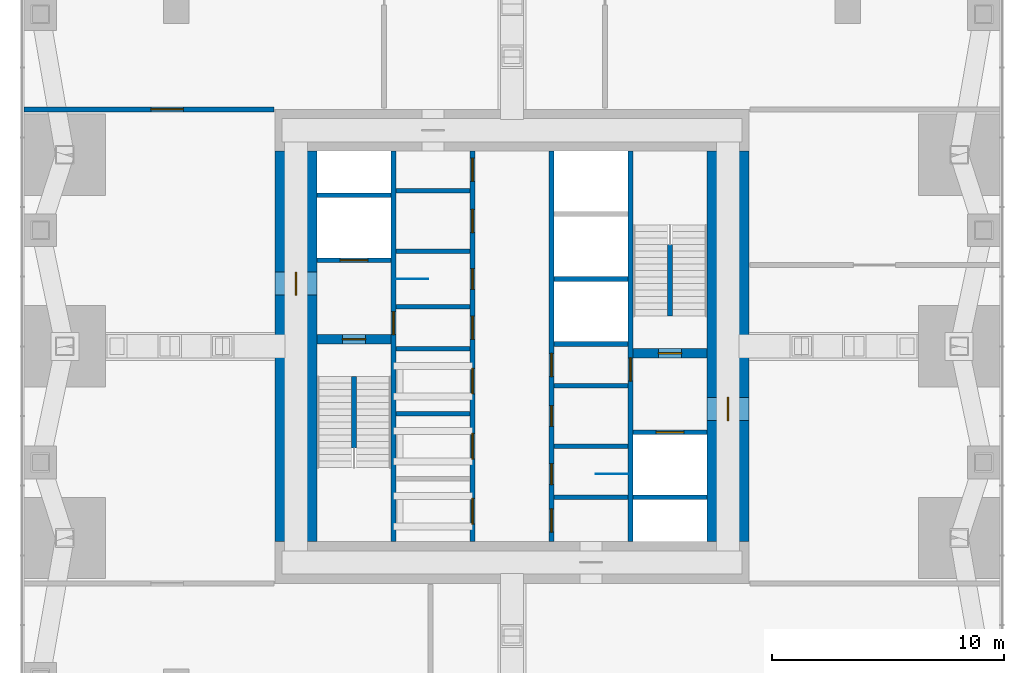
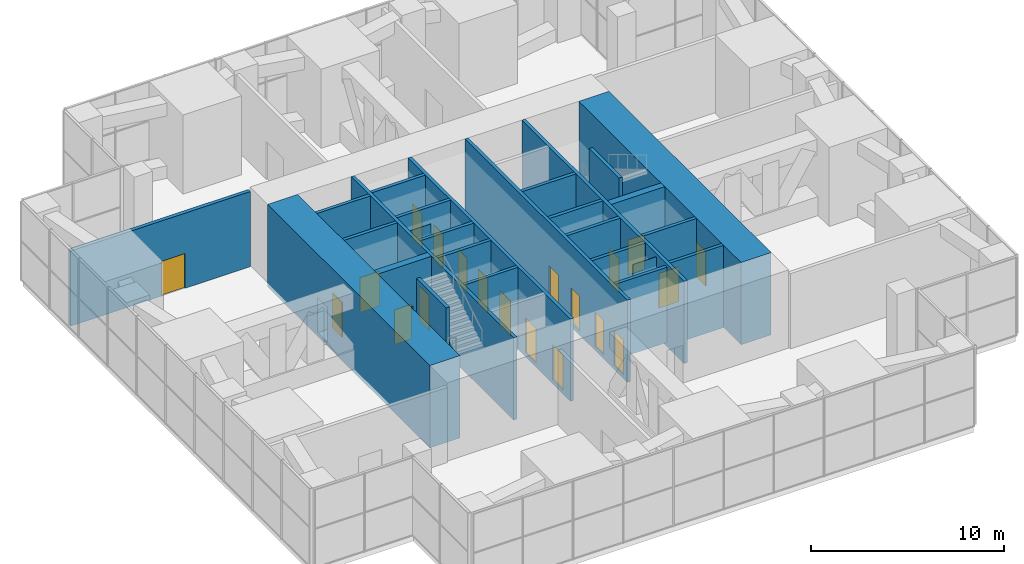
# One storey, part 11 of 13: 27 walls, 20 doors, 20 openings.
"""IFC4 building model written with IfcOpenShell, lengths in metres."""

from ifc_helpers import new_model, si_unit, direction, frame, frame_2d, origin, place, context, subcontext, project, spatial, rectangle, extrude, material, layer, layer_set, type_object, element, fill, save


model = new_model("IFC4")

# Units and contexts
model_context = context("Model", 3, precision=1e-05, world=origin(), true_north=direction((0.0, 1.0)))
body_context = subcontext(model_context, "Body", "Model", "MODEL_VIEW")
ifc_project = project(units=[si_unit("LENGTHUNIT", "METRE"), si_unit("AREAUNIT", "SQUARE_METRE"), si_unit("VOLUMEUNIT", "CUBIC_METRE"), si_unit("PLANEANGLEUNIT", "RADIAN"), si_unit("MASSUNIT", "GRAM", prefix="KILO")], contexts=[model_context])

# Site, building, storey
site_placement = place(None, origin())
site = spatial("IfcSite", under=ifc_project, at=site_placement, CompositionType="ELEMENT")
building_placement = place(site_placement, origin())
building = spatial("IfcBuilding", under=site, at=building_placement, Name="Svetlomir Tower", CompositionType="ELEMENT")
storey_placement = place(building_placement, frame((0.0, 0.0, 86.5)))
storey = spatial("IfcBuildingStorey", under=building, at=storey_placement, Name="L20", CompositionType="ELEMENT", Elevation=86.5)

# Wall
ifc_material_1 = material(Name="Gypsum board on twin steel studs", Category="steel")
ifc_layer_1 = layer(ifc_material_1, 0.199951171875)
ifc_layer_set_1 = layer_set([ifc_layer_1], Name="Gypsum board on twin steel studs")
wall_type_1 = type_object("IfcWallType", Name="ACOUSTIC PARTITION 200", PredefinedType="PARTITIONING", material=ifc_layer_set_1)
wall_1_placement = place(storey_placement, frame((22.800048828125, 14.5, 0.0), z_axis=(0.0, 0.0, 1.0), x_axis=(1.0, 0.0, 0.0)))
element("IfcWall", 1, at=wall_1_placement, inside=storey, type_object=wall_type_1, Name="Core south corridor wall L20", PredefinedType="PARTITIONING", context=body_context, shape_type="SweptSolid", body=[
    extrude(rectangle(XDim=3.199951171875, YDim=0.199951171875, at=frame_2d((1.60009765625, 0.0))), origin(), (0.0, 0.0, 1.0), 4.75),
])

# Wall, opening, door
ifc_material_2 = material(Name="Dense concrete blockwork", Category="masonry")
ifc_layer_2 = layer(ifc_material_2, 0.215087890625)
ifc_layer_set_2 = layer_set([ifc_layer_2], Name="Dense concrete blockwork")
wall_type_2 = type_object("IfcWallType", Name="BLOCKWORK WALL 215", PredefinedType="PARTITIONING", material=ifc_layer_set_2)
wall_2_placement = place(storey_placement, frame((0.0, 31.199951171875, 0.0), z_axis=(0.0, 0.0, 1.0), x_axis=(1.0, 0.0, 0.0)))
wall_2 = element("IfcWall", 2, at=wall_2_placement, inside=storey, type_object=wall_type_2, Name="Refuge area wall L20", PredefinedType="PARTITIONING", context=body_context, shape_type="SweptSolid", body=[
    extrude(rectangle(XDim=10.75, YDim=0.215087890625, at=frame_2d((5.375, 0.0))), origin(), (0.0, 0.0, 1.0), 4.75),
])
opening_1_placement = place(wall_2_placement, frame((5.449951171875, 0.0, 0.0)))
opening_1 = element("IfcOpeningElement", 3, at=opening_1_placement, cuts=wall_2, Name="Opening DF2", PredefinedType="OPENING", context=body_context, shape_type="SweptSolid", body=[
    extrude(rectangle(XDim=1.39990234375, YDim=2.199951171875, at=frame_2d((0.699951171875, 1.10009765625))), frame((0.0, 0.11767578125, 0.0), z_axis=(0.0, -1.0, 0.0), x_axis=(1.0, 0.0, 0.0)), (0.0, 0.0, 1.0), 0.235107421875),
])
ifc_material_3 = material(Name="Steel fire door", Category="steel")
door_type_1 = type_object("IfcDoorType", Name="DOOR DF2 1400x2200", OperationType="SINGLE_SWING_LEFT", PredefinedType="DOOR", material=ifc_material_3)
door_1_placement = place(opening_1_placement, origin())
door_1 = element("IfcDoor", 4, at=door_1_placement, inside=storey, type_object=door_type_1, Name="Refuge area fire door 2 L20", OperationType="SINGLE_SWING_LEFT", OverallHeight=2.199951171875, OverallWidth=1.39990234375, PredefinedType="DOOR", context=body_context, shape_type="SweptSolid", body=[
    extrude(rectangle(XDim=1.39990234375, YDim=2.199951171875, at=frame_2d((0.699951171875, 1.10009765625))), frame((0.0, 0.02490234375, 0.0), z_axis=(0.0, -1.0, 0.0), x_axis=(1.0, 0.0, 0.0)), (0.0, 0.0, 1.0), 0.050048828125),
])
fill(opening_1, door_1)

ifc_material_4 = material(Name="Concrete C60/75", Category="concrete")
ifc_layer_3 = layer(ifc_material_4, 0.199951171875)
ifc_layer_set_3 = layer_set([ifc_layer_3], Name="Concrete C60/75")
wall_type_3 = type_object("IfcWallType", Name="CORE INNER WALL 200", PredefinedType="SHEAR", material=ifc_layer_set_3)
wall_3_placement = place(storey_placement, frame((15.89990234375, 12.60009765625, -0.25), z_axis=(0.0, 0.0, 1.0), x_axis=(0.0, 1.0, 0.0)))
wall_3 = element("IfcWall", 5, at=wall_3_placement, inside=storey, type_object=wall_type_3, Name="Core inner wall 15.9 L20", PredefinedType="SHEAR", context=body_context, shape_type="SweptSolid", body=[
    extrude(rectangle(XDim=16.7998046875, YDim=0.199951171875, at=frame_2d((8.39990234375, 0.0))), origin(), (0.0, 0.0, 1.0), 5.199951171875),
])
opening_2_placement = place(wall_3_placement, frame((8.89990234375, 0.0, 0.25)))
opening_2 = element("IfcOpeningElement", 6, at=opening_2_placement, cuts=wall_3, Name="Opening DF", PredefinedType="OPENING", context=body_context, shape_type="SweptSolid", body=[
    extrude(rectangle(XDim=1.0, YDim=2.199951171875, at=frame_2d((0.5, 1.10009765625))), frame((0.0, 0.10986328125, 0.0), z_axis=(0.0, -1.0, 0.0), x_axis=(1.0, 0.0, 0.0)), (0.0, 0.0, 1.0), 0.219970703125),
])
ifc_material_5 = material(Name="Steel fire door", Category="steel")
door_type_2 = type_object("IfcDoorType", Name="DOOR DF 1000x2200", OperationType="SINGLE_SWING_LEFT", PredefinedType="DOOR", material=ifc_material_5)
door_2_placement = place(opening_2_placement, origin())
door_2 = element("IfcDoor", 7, at=door_2_placement, inside=storey, type_object=door_type_2, Name="Core corridor west door L20", OperationType="SINGLE_SWING_LEFT", OverallHeight=2.199951171875, OverallWidth=1.0, PredefinedType="DOOR", context=body_context, shape_type="SweptSolid", body=[
    extrude(rectangle(XDim=1.0, YDim=2.199951171875, at=frame_2d((0.5, 1.10009765625))), frame((0.0, 0.02490234375, 0.0), z_axis=(0.0, -1.0, 0.0), x_axis=(1.0, 0.0, 0.0)), (0.0, 0.0, 1.0), 0.050048828125),
])
fill(opening_2, door_2)

# Wall, openings, doors
wall_4_placement = place(storey_placement, frame((19.300048828125, 12.60009765625, -0.25), z_axis=(0.0, 0.0, 1.0), x_axis=(0.0, 1.0, 0.0)))
wall_4 = element("IfcWall", 8, at=wall_4_placement, inside=storey, type_object=wall_type_3, Name="Core inner wall 19.3 L20", PredefinedType="SHEAR", context=body_context, shape_type="SweptSolid", body=[
    extrude(rectangle(XDim=16.7998046875, YDim=0.199951171875, at=frame_2d((8.39990234375, 0.0))), origin(), (0.0, 0.0, 1.0), 5.199951171875),
])
opening_3_placement = place(wall_4_placement, frame((8.699951171875, 0.0, 0.25)))
opening_3 = element("IfcOpeningElement", 9, at=opening_3_placement, cuts=wall_4, Name="Opening DC", PredefinedType="OPENING", context=body_context, shape_type="SweptSolid", body=[
    extrude(rectangle(XDim=1.0, YDim=2.199951171875, at=frame_2d((0.5, 1.10009765625))), frame((0.0, 0.10986328125, 0.0), z_axis=(0.0, -1.0, 0.0), x_axis=(1.0, 0.0, 0.0)), (0.0, 0.0, 1.0), 0.219970703125),
])
opening_4_placement = place(wall_4_placement, frame((10.85009765625, 0.0, 0.25)))
opening_4 = element("IfcOpeningElement", 10, at=opening_4_placement, cuts=wall_4, Name="Opening DW", PredefinedType="OPENING", context=body_context, shape_type="SweptSolid", body=[
    extrude(rectangle(XDim=0.89990234375, YDim=2.199951171875, at=frame_2d((0.449951171875, 1.10009765625))), frame((0.0, 0.10986328125, 0.0), z_axis=(0.0, -1.0, 0.0), x_axis=(1.0, 0.0, 0.0)), (0.0, 0.0, 1.0), 0.219970703125),
])
opening_5_placement = place(wall_4_placement, frame((13.300048828125, 0.0, 0.25)))
opening_5 = element("IfcOpeningElement", 11, at=opening_5_placement, cuts=wall_4, Name="Opening DC", PredefinedType="OPENING", context=body_context, shape_type="SweptSolid", body=[
    extrude(rectangle(XDim=1.0, YDim=2.199951171875, at=frame_2d((0.5, 1.10009765625))), frame((0.0, 0.10986328125, 0.0), z_axis=(0.0, -1.0, 0.0), x_axis=(1.0, 0.0, 0.0)), (0.0, 0.0, 1.0), 0.219970703125),
])
opening_6_placement = place(wall_4_placement, frame((15.5, 0.0, 0.25)))
opening_6 = element("IfcOpeningElement", 12, at=opening_6_placement, cuts=wall_4, Name="Opening DC", PredefinedType="OPENING", context=body_context, shape_type="SweptSolid", body=[
    extrude(rectangle(XDim=1.0, YDim=2.199951171875, at=frame_2d((0.5, 1.10009765625))), frame((0.0, 0.10986328125, 0.0), z_axis=(0.0, -1.0, 0.0), x_axis=(1.0, 0.0, 0.0)), (0.0, 0.0, 1.0), 0.219970703125),
])
opening_7_placement = place(wall_4_placement, frame((0.75, 0.0, 0.25)))
opening_7 = element("IfcOpeningElement", 13, at=opening_7_placement, cuts=wall_4, Name="Opening LD", PredefinedType="OPENING", context=body_context, shape_type="SweptSolid", body=[
    extrude(rectangle(XDim=1.10009765625, YDim=2.199951171875, at=frame_2d((0.550048828125, 1.10009765625))), frame((0.0, 0.10986328125, 0.0), z_axis=(0.0, -1.0, 0.0), x_axis=(1.0, 0.0, 0.0)), (0.0, 0.0, 1.0), 0.219970703125),
])
opening_8_placement = place(wall_4_placement, frame((3.550048828125, 0.0, 0.25)))
opening_8 = element("IfcOpeningElement", 14, at=opening_8_placement, cuts=wall_4, Name="Opening LD", PredefinedType="OPENING", context=body_context, shape_type="SweptSolid", body=[
    extrude(rectangle(XDim=1.10009765625, YDim=2.199951171875, at=frame_2d((0.550048828125, 1.10009765625))), frame((0.0, 0.10986328125, 0.0), z_axis=(0.0, -1.0, 0.0), x_axis=(1.0, 0.0, 0.0)), (0.0, 0.0, 1.0), 0.219970703125),
])
opening_9_placement = place(wall_4_placement, frame((6.35009765625, 0.0, 0.25)))
opening_9 = element("IfcOpeningElement", 15, at=opening_9_placement, cuts=wall_4, Name="Opening LD", PredefinedType="OPENING", context=body_context, shape_type="SweptSolid", body=[
    extrude(rectangle(XDim=1.10009765625, YDim=2.199951171875, at=frame_2d((0.550048828125, 1.10009765625))), frame((0.0, 0.10986328125, 0.0), z_axis=(0.0, -1.0, 0.0), x_axis=(1.0, 0.0, 0.0)), (0.0, 0.0, 1.0), 0.219970703125),
])
ifc_material_6 = material(Name="Timber fire door", Category="wood")
door_type_3 = type_object("IfcDoorType", Name="DOOR DC 1000x2200", OperationType="SINGLE_SWING_LEFT", PredefinedType="DOOR", material=ifc_material_6)
door_3_placement = place(opening_3_placement, origin())
door_3 = element("IfcDoor", 16, at=door_3_placement, inside=storey, type_object=door_type_3, Name="Core corridor west lobby door L20", OperationType="SINGLE_SWING_RIGHT", OverallHeight=2.199951171875, OverallWidth=1.0, PredefinedType="DOOR", context=body_context, shape_type="SweptSolid", body=[
    extrude(rectangle(XDim=1.0, YDim=2.199951171875, at=frame_2d((0.5, 1.10009765625))), frame((0.0, 0.02490234375, 0.0), z_axis=(0.0, -1.0, 0.0), x_axis=(1.0, 0.0, 0.0)), (0.0, 0.0, 1.0), 0.050048828125),
])
fill(opening_3, door_3)
door_4_placement = place(opening_5_placement, origin())
door_4 = element("IfcDoor", 17, at=door_4_placement, inside=storey, type_object=door_type_3, Name="Accessible WC door L20", OperationType="SINGLE_SWING_LEFT", OverallHeight=2.199951171875, OverallWidth=1.0, PredefinedType="DOOR", context=body_context, shape_type="SweptSolid", body=[
    extrude(rectangle(XDim=1.0, YDim=2.199951171875, at=frame_2d((0.5, 1.10009765625))), frame((0.0, 0.02490234375, 0.0), z_axis=(0.0, -1.0, 0.0), x_axis=(1.0, 0.0, 0.0)), (0.0, 0.0, 1.0), 0.050048828125),
])
fill(opening_5, door_4)
door_5_placement = place(opening_6_placement, origin())
door_5 = element("IfcDoor", 18, at=door_5_placement, inside=storey, type_object=door_type_3, Name="Core north corridor lobby door L20", OperationType="SINGLE_SWING_RIGHT", OverallHeight=2.199951171875, OverallWidth=1.0, PredefinedType="DOOR", context=body_context, shape_type="SweptSolid", body=[
    extrude(rectangle(XDim=1.0, YDim=2.199951171875, at=frame_2d((0.5, 1.10009765625))), frame((0.0, 0.02490234375, 0.0), z_axis=(0.0, -1.0, 0.0), x_axis=(1.0, 0.0, 0.0)), (0.0, 0.0, 1.0), 0.050048828125),
])
fill(opening_6, door_5)
ifc_material_7 = material(Name="Timber fire door", Category="wood")
door_type_4 = type_object("IfcDoorType", Name="DOOR DW 900x2200", OperationType="SINGLE_SWING_LEFT", PredefinedType="DOOR", material=ifc_material_7)
door_6_placement = place(opening_4_placement, origin())
door_6 = element("IfcDoor", 19, at=door_6_placement, inside=storey, type_object=door_type_4, Name="Female WC door L20", OperationType="SINGLE_SWING_RIGHT", OverallHeight=2.199951171875, OverallWidth=0.89990234375, PredefinedType="DOOR", context=body_context, shape_type="SweptSolid", body=[
    extrude(rectangle(XDim=0.89990234375, YDim=2.199951171875, at=frame_2d((0.449951171875, 1.10009765625))), frame((0.0, 0.02490234375, 0.0), z_axis=(0.0, -1.0, 0.0), x_axis=(1.0, 0.0, 0.0)), (0.0, 0.0, 1.0), 0.050048828125),
])
fill(opening_4, door_6)
ifc_material_8 = material(Name="Stainless steel landing door", Category="steel")
door_type_5 = type_object("IfcDoorType", Name="LIFT LANDING DOOR LD 1100x2200", OperationType="DOUBLE_DOOR_SLIDING", PredefinedType="DOOR", material=ifc_material_8)
door_7_placement = place(opening_7_placement, origin())
door_7 = element("IfcDoor", 20, at=door_7_placement, inside=storey, type_object=door_type_5, Name="Landing door lift LA1 L20", OperationType="DOUBLE_DOOR_SLIDING", OverallHeight=2.199951171875, OverallWidth=1.10009765625, PredefinedType="DOOR", context=body_context, shape_type="SweptSolid", body=[
    extrude(rectangle(XDim=1.10009765625, YDim=2.199951171875, at=frame_2d((0.550048828125, 1.10009765625))), frame((0.0, 0.02490234375, 0.0), z_axis=(0.0, -1.0, 0.0), x_axis=(1.0, 0.0, 0.0)), (0.0, 0.0, 1.0), 0.050048828125),
])
fill(opening_7, door_7)
door_8_placement = place(opening_8_placement, origin())
door_8 = element("IfcDoor", 21, at=door_8_placement, inside=storey, type_object=door_type_5, Name="Landing door lift LA2 L20", OperationType="DOUBLE_DOOR_SLIDING", OverallHeight=2.199951171875, OverallWidth=1.10009765625, PredefinedType="DOOR", context=body_context, shape_type="SweptSolid", body=[
    extrude(rectangle(XDim=1.10009765625, YDim=2.199951171875, at=frame_2d((0.550048828125, 1.10009765625))), frame((0.0, 0.02490234375, 0.0), z_axis=(0.0, -1.0, 0.0), x_axis=(1.0, 0.0, 0.0)), (0.0, 0.0, 1.0), 0.050048828125),
])
fill(opening_8, door_8)
door_9_placement = place(opening_9_placement, origin())
door_9 = element("IfcDoor", 22, at=door_9_placement, inside=storey, type_object=door_type_5, Name="Landing door lift LA3 L20", OperationType="DOUBLE_DOOR_SLIDING", OverallHeight=2.199951171875, OverallWidth=1.10009765625, PredefinedType="DOOR", context=body_context, shape_type="SweptSolid", body=[
    extrude(rectangle(XDim=1.10009765625, YDim=2.199951171875, at=frame_2d((0.550048828125, 1.10009765625))), frame((0.0, 0.02490234375, 0.0), z_axis=(0.0, -1.0, 0.0), x_axis=(1.0, 0.0, 0.0)), (0.0, 0.0, 1.0), 0.050048828125),
])
fill(opening_9, door_9)

wall_5_placement = place(storey_placement, frame((22.699951171875, 12.60009765625, -0.25), z_axis=(0.0, 0.0, 1.0), x_axis=(0.0, 1.0, 0.0)))
wall_5 = element("IfcWall", 23, at=wall_5_placement, inside=storey, type_object=wall_type_3, Name="Core inner wall 22.7 L20", PredefinedType="SHEAR", context=body_context, shape_type="SweptSolid", body=[
    extrude(rectangle(XDim=16.7998046875, YDim=0.199951171875, at=frame_2d((8.39990234375, 0.0))), origin(), (0.0, 0.0, 1.0), 5.199951171875),
])
opening_10_placement = place(wall_5_placement, frame((0.39990234375, 0.0, 0.25)))
opening_10 = element("IfcOpeningElement", 24, at=opening_10_placement, cuts=wall_5, Name="Opening DC", PredefinedType="OPENING", context=body_context, shape_type="SweptSolid", body=[
    extrude(rectangle(XDim=1.0, YDim=2.199951171875, at=frame_2d((0.5, 1.10009765625))), frame((0.0, 0.10986328125, 0.0), z_axis=(0.0, -1.0, 0.0), x_axis=(1.0, 0.0, 0.0)), (0.0, 0.0, 1.0), 0.219970703125),
])
opening_11_placement = place(wall_5_placement, frame((7.10009765625, 0.0, 0.25)))
opening_11 = element("IfcOpeningElement", 25, at=opening_11_placement, cuts=wall_5, Name="Opening DC", PredefinedType="OPENING", context=body_context, shape_type="SweptSolid", body=[
    extrude(rectangle(XDim=1.0, YDim=2.199951171875, at=frame_2d((0.5, 1.10009765625))), frame((0.0, 0.10986328125, 0.0), z_axis=(0.0, -1.0, 0.0), x_axis=(1.0, 0.0, 0.0)), (0.0, 0.0, 1.0), 0.219970703125),
])
opening_12_placement = place(wall_5_placement, frame((2.449951171875, 0.0, 0.25)))
opening_12 = element("IfcOpeningElement", 26, at=opening_12_placement, cuts=wall_5, Name="Opening DW", PredefinedType="OPENING", context=body_context, shape_type="SweptSolid", body=[
    extrude(rectangle(XDim=0.89990234375, YDim=2.199951171875, at=frame_2d((0.449951171875, 1.10009765625))), frame((0.0, 0.10986328125, 0.0), z_axis=(0.0, -1.0, 0.0), x_axis=(1.0, 0.0, 0.0)), (0.0, 0.0, 1.0), 0.219970703125),
])
opening_13_placement = place(wall_5_placement, frame((4.949951171875, 0.0, 0.25)))
opening_13 = element("IfcOpeningElement", 27, at=opening_13_placement, cuts=wall_5, Name="Opening DW", PredefinedType="OPENING", context=body_context, shape_type="SweptSolid", body=[
    extrude(rectangle(XDim=0.89990234375, YDim=2.199951171875, at=frame_2d((0.449951171875, 1.10009765625))), frame((0.0, 0.10986328125, 0.0), z_axis=(0.0, -1.0, 0.0), x_axis=(1.0, 0.0, 0.0)), (0.0, 0.0, 1.0), 0.219970703125),
])
door_10_placement = place(opening_10_placement, origin())
door_10 = element("IfcDoor", 28, at=door_10_placement, inside=storey, type_object=door_type_3, Name="Core south corridor lobby door L20", OperationType="SINGLE_SWING_LEFT", OverallHeight=2.199951171875, OverallWidth=1.0, PredefinedType="DOOR", context=body_context, shape_type="SweptSolid", body=[
    extrude(rectangle(XDim=1.0, YDim=2.199951171875, at=frame_2d((0.5, 1.10009765625))), frame((0.0, 0.02490234375, 0.0), z_axis=(0.0, -1.0, 0.0), x_axis=(1.0, 0.0, 0.0)), (0.0, 0.0, 1.0), 0.050048828125),
])
fill(opening_10, door_10)
door_11_placement = place(opening_11_placement, origin())
door_11 = element("IfcDoor", 29, at=door_11_placement, inside=storey, type_object=door_type_3, Name="Core corridor east lobby door L20", OperationType="SINGLE_SWING_LEFT", OverallHeight=2.199951171875, OverallWidth=1.0, PredefinedType="DOOR", context=body_context, shape_type="SweptSolid", body=[
    extrude(rectangle(XDim=1.0, YDim=2.199951171875, at=frame_2d((0.5, 1.10009765625))), frame((0.0, 0.02490234375, 0.0), z_axis=(0.0, -1.0, 0.0), x_axis=(1.0, 0.0, 0.0)), (0.0, 0.0, 1.0), 0.050048828125),
])
fill(opening_11, door_11)
door_12_placement = place(opening_12_placement, origin())
door_12 = element("IfcDoor", 30, at=door_12_placement, inside=storey, type_object=door_type_4, Name="Male WC door L20", OperationType="SINGLE_SWING_LEFT", OverallHeight=2.199951171875, OverallWidth=0.89990234375, PredefinedType="DOOR", context=body_context, shape_type="SweptSolid", body=[
    extrude(rectangle(XDim=0.89990234375, YDim=2.199951171875, at=frame_2d((0.449951171875, 1.10009765625))), frame((0.0, 0.02490234375, 0.0), z_axis=(0.0, -1.0, 0.0), x_axis=(1.0, 0.0, 0.0)), (0.0, 0.0, 1.0), 0.050048828125),
])
fill(opening_12, door_12)
door_13_placement = place(opening_13_placement, origin())
door_13 = element("IfcDoor", 31, at=door_13_placement, inside=storey, type_object=door_type_4, Name="Comms room door L20", OperationType="SINGLE_SWING_RIGHT", OverallHeight=2.199951171875, OverallWidth=0.89990234375, PredefinedType="DOOR", context=body_context, shape_type="SweptSolid", body=[
    extrude(rectangle(XDim=0.89990234375, YDim=2.199951171875, at=frame_2d((0.449951171875, 1.10009765625))), frame((0.0, 0.02490234375, 0.0), z_axis=(0.0, -1.0, 0.0), x_axis=(1.0, 0.0, 0.0)), (0.0, 0.0, 1.0), 0.050048828125),
])
fill(opening_13, door_13)

# Wall, opening, door
wall_6_placement = place(storey_placement, frame((26.10009765625, 12.60009765625, -0.25), z_axis=(0.0, 0.0, 1.0), x_axis=(0.0, 1.0, 0.0)))
wall_6 = element("IfcWall", 32, at=wall_6_placement, inside=storey, type_object=wall_type_3, Name="Core inner wall 26.1 L20", PredefinedType="SHEAR", context=body_context, shape_type="SweptSolid", body=[
    extrude(rectangle(XDim=16.7998046875, YDim=0.199951171875, at=frame_2d((8.39990234375, 0.0))), origin(), (0.0, 0.0, 1.0), 5.199951171875),
])
opening_14_placement = place(wall_6_placement, frame((6.89990234375, 0.0, 0.25)))
opening_14 = element("IfcOpeningElement", 33, at=opening_14_placement, cuts=wall_6, Name="Opening DF", PredefinedType="OPENING", context=body_context, shape_type="SweptSolid", body=[
    extrude(rectangle(XDim=1.0, YDim=2.199951171875, at=frame_2d((0.5, 1.10009765625))), frame((0.0, 0.10986328125, 0.0), z_axis=(0.0, -1.0, 0.0), x_axis=(1.0, 0.0, 0.0)), (0.0, 0.0, 1.0), 0.219970703125),
])
door_14_placement = place(opening_14_placement, origin())
door_14 = element("IfcDoor", 34, at=door_14_placement, inside=storey, type_object=door_type_2, Name="Core corridor east door L20", OperationType="SINGLE_SWING_LEFT", OverallHeight=2.199951171875, OverallWidth=1.0, PredefinedType="DOOR", context=body_context, shape_type="SweptSolid", body=[
    extrude(rectangle(XDim=1.0, YDim=2.199951171875, at=frame_2d((0.5, 1.10009765625))), frame((0.0, 0.02490234375, 0.0), z_axis=(0.0, -1.0, 0.0), x_axis=(1.0, 0.0, 0.0)), (0.0, 0.0, 1.0), 0.050048828125),
])
fill(opening_14, door_14)

wall_7_placement = place(storey_placement, frame((12.60009765625, 24.699951171875, -0.25), z_axis=(0.0, 0.0, 1.0), x_axis=(1.0, 0.0, 0.0)))
wall_7 = element("IfcWall", 35, at=wall_7_placement, inside=storey, type_object=wall_type_3, Name="Core inner wall 12.6-15.8/24.7 L20", PredefinedType="SHEAR", context=body_context, shape_type="SweptSolid", body=[
    extrude(rectangle(XDim=3.199951171875, YDim=0.199951171875, at=frame_2d((1.60009765625, 0.0))), origin(), (0.0, 0.0, 1.0), 5.199951171875),
])
opening_15_placement = place(wall_7_placement, frame((1.0, 0.0, 0.25)))
opening_15 = element("IfcOpeningElement", 36, at=opening_15_placement, cuts=wall_7, Name="Opening LD3", PredefinedType="OPENING", context=body_context, shape_type="SweptSolid", body=[
    extrude(rectangle(XDim=1.199951171875, YDim=2.199951171875, at=frame_2d((0.60009765625, 1.10009765625))), frame((0.0, 0.10986328125, 0.0), z_axis=(0.0, -1.0, 0.0), x_axis=(1.0, 0.0, 0.0)), (0.0, 0.0, 1.0), 0.219970703125),
])
ifc_material_9 = material(Name="Stainless steel fire-rated landing door", Category="steel")
door_type_6 = type_object("IfcDoorType", Name="FIREFIGHTING LIFT LANDING DOOR LD3 1200x2200", OperationType="DOUBLE_DOOR_SLIDING", PredefinedType="DOOR", material=ifc_material_9)
door_15_placement = place(opening_15_placement, origin())
door_15 = element("IfcDoor", 37, at=door_15_placement, inside=storey, type_object=door_type_6, Name="Landing door lift FL1 L20", OperationType="DOUBLE_DOOR_SLIDING", OverallHeight=2.199951171875, OverallWidth=1.199951171875, PredefinedType="DOOR", context=body_context, shape_type="SweptSolid", body=[
    extrude(rectangle(XDim=1.199951171875, YDim=2.199951171875, at=frame_2d((0.60009765625, 1.10009765625))), frame((0.0, 0.02490234375, 0.0), z_axis=(0.0, -1.0, 0.0), x_axis=(1.0, 0.0, 0.0)), (0.0, 0.0, 1.0), 0.050048828125),
])
fill(opening_15, door_15)

# Walls
for number, where, z_axis, x_axis, name in (
    (38, (12.60009765625, 27.5, -0.25), (0.0, 0.0, 1.0), (1.0, 0.0, 0.0), "Core inner wall 12.6-15.8/27.5 L20"),
    (39, (16.0, 18.10009765625, -0.25), (0.0, 0.0, 1.0), (1.0, 0.0, 0.0), "Core inner wall 16-19.2/18.1 L20"),
    (40, (16.0, 20.89990234375, -0.25), (0.0, 0.0, 1.0), (1.0, 0.0, 0.0), "Core inner wall 16-19.2/20.9 L20"),
    (41, (16.0, 22.699951171875, -0.25), (0.0, 0.0, 1.0), (1.0, 0.0, 0.0), "Core inner wall 16-19.2/22.7 L20"),
    (42, (16.0, 25.10009765625, -0.25), (0.0, 0.0, 1.0), (1.0, 0.0, 0.0), "Core inner wall 16-19.2/25.1 L20"),
    (43, (16.0, 27.699951171875, -0.25), (0.0, 0.0, 1.0), (1.0, 0.0, 0.0), "Core inner wall 16-19.2/27.7 L20"),
    (44, (22.800048828125, 16.699951171875, -0.25), (0.0, 0.0, 1.0), (1.0, 0.0, 0.0), "Core inner wall 22.8-26/16.7 L20"),
    (45, (22.800048828125, 19.300048828125, -0.25), (0.0, 0.0, 1.0), (1.0, 0.0, 0.0), "Core inner wall 22.8-26/19.3 L20"),
    (46, (22.800048828125, 21.10009765625, -0.25), (0.0, 0.0, 1.0), (1.0, 0.0, 0.0), "Core inner wall 22.8-26/21.1 L20"),
    (47, (22.800048828125, 23.89990234375, -0.25), (0.0, 0.0, 1.0), (1.0, 0.0, 0.0), "Core inner wall 22.8-26/23.9 L20"),
    (48, (26.199951171875, 14.5, -0.25), (0.0, 0.0, 1.0), (1.0, 0.0, 0.0), "Core inner wall 26.2-29.4/14.5 L20"),
):
    element("IfcWall", number, at=place(storey_placement, frame(where, z_axis=z_axis, x_axis=x_axis)), inside=storey, type_object=wall_type_3, Name=name, PredefinedType="SHEAR", context=body_context, shape_type="SweptSolid", body=[
        extrude(rectangle(XDim=3.199951171875, YDim=0.199951171875, at=frame_2d((1.60009765625, 0.0))), origin(), (0.0, 0.0, 1.0), 5.199951171875),
    ])

# Wall, opening, door
wall_8_placement = place(storey_placement, frame((26.199951171875, 17.300048828125, -0.25), z_axis=(0.0, 0.0, 1.0), x_axis=(1.0, 0.0, 0.0)))
wall_8 = element("IfcWall", 49, at=wall_8_placement, inside=storey, type_object=wall_type_3, Name="Core inner wall 26.2-29.4/17.3 L20", PredefinedType="SHEAR", context=body_context, shape_type="SweptSolid", body=[
    extrude(rectangle(XDim=3.199951171875, YDim=0.199951171875, at=frame_2d((1.60009765625, 0.0))), origin(), (0.0, 0.0, 1.0), 5.199951171875),
])
opening_16_placement = place(wall_8_placement, frame((1.0, 0.0, 0.25)))
opening_16 = element("IfcOpeningElement", 50, at=opening_16_placement, cuts=wall_8, Name="Opening LD3", PredefinedType="OPENING", context=body_context, shape_type="SweptSolid", body=[
    extrude(rectangle(XDim=1.199951171875, YDim=2.199951171875, at=frame_2d((0.60009765625, 1.10009765625))), frame((0.0, 0.10986328125, 0.0), z_axis=(0.0, -1.0, 0.0), x_axis=(1.0, 0.0, 0.0)), (0.0, 0.0, 1.0), 0.219970703125),
])
door_16_placement = place(opening_16_placement, origin())
door_16 = element("IfcDoor", 51, at=door_16_placement, inside=storey, type_object=door_type_6, Name="Landing door lift FL2 L20", OperationType="DOUBLE_DOOR_SLIDING", OverallHeight=2.199951171875, OverallWidth=1.199951171875, PredefinedType="DOOR", context=body_context, shape_type="SweptSolid", body=[
    extrude(rectangle(XDim=1.199951171875, YDim=2.199951171875, at=frame_2d((0.60009765625, 1.10009765625))), frame((0.0, 0.02490234375, 0.0), z_axis=(0.0, -1.0, 0.0), x_axis=(1.0, 0.0, 0.0)), (0.0, 0.0, 1.0), 0.050048828125),
])
fill(opening_16, door_16)

ifc_material_10 = material(Name="Concrete C60/75", Category="concrete")
ifc_layer_4 = layer(ifc_material_10, 0.39990234375)
ifc_layer_set_4 = layer_set([ifc_layer_4], Name="Concrete C60/75")
wall_type_4 = type_object("IfcWallType", Name="CORE OUTRIGGER WALL 400", PredefinedType="SHEAR", material=ifc_layer_set_4)
wall_9_placement = place(storey_placement, frame((12.60009765625, 21.300048828125, -0.25), z_axis=(0.0, 0.0, 1.0), x_axis=(1.0, 0.0, 0.0)))
wall_9 = element("IfcWall", 52, at=wall_9_placement, inside=storey, type_object=wall_type_4, Name="Core outrigger wall 12.6-15.8/21.3 L20", PredefinedType="SHEAR", context=body_context, shape_type="SweptSolid", body=[
    extrude(rectangle(XDim=3.199951171875, YDim=0.39990234375, at=frame_2d((1.60009765625, 0.0))), origin(), (0.0, 0.0, 1.0), 5.199951171875),
])
opening_17_placement = place(wall_9_placement, frame((1.10009765625, 0.0, 0.25)))
opening_17 = element("IfcOpeningElement", 53, at=opening_17_placement, cuts=wall_9, Name="Opening DF", PredefinedType="OPENING", context=body_context, shape_type="SweptSolid", body=[
    extrude(rectangle(XDim=1.0, YDim=2.199951171875, at=frame_2d((0.5, 1.10009765625))), frame((0.0, 0.2099609375, 0.0), z_axis=(0.0, -1.0, 0.0), x_axis=(1.0, 0.0, 0.0)), (0.0, 0.0, 1.0), 0.419921875),
])
door_17_placement = place(opening_17_placement, origin())
door_17 = element("IfcDoor", 54, at=door_17_placement, inside=storey, type_object=door_type_2, Name="Stair S1 door L20", OperationType="SINGLE_SWING_RIGHT", OverallHeight=2.199951171875, OverallWidth=1.0, PredefinedType="DOOR", context=body_context, shape_type="SweptSolid", body=[
    extrude(rectangle(XDim=1.0, YDim=2.199951171875, at=frame_2d((0.5, 1.10009765625))), frame((0.0, 0.02490234375, 0.0), z_axis=(0.0, -1.0, 0.0), x_axis=(1.0, 0.0, 0.0)), (0.0, 0.0, 1.0), 0.050048828125),
])
fill(opening_17, door_17)

wall_10_placement = place(storey_placement, frame((26.199951171875, 20.699951171875, -0.25), z_axis=(0.0, 0.0, 1.0), x_axis=(1.0, 0.0, 0.0)))
wall_10 = element("IfcWall", 55, at=wall_10_placement, inside=storey, type_object=wall_type_4, Name="Core outrigger wall 26.2-29.4/20.7 L20", PredefinedType="SHEAR", context=body_context, shape_type="SweptSolid", body=[
    extrude(rectangle(XDim=3.199951171875, YDim=0.39990234375, at=frame_2d((1.60009765625, 0.0))), origin(), (0.0, 0.0, 1.0), 5.199951171875),
])
opening_18_placement = place(wall_10_placement, frame((1.10009765625, 0.0, 0.25)))
opening_18 = element("IfcOpeningElement", 56, at=opening_18_placement, cuts=wall_10, Name="Opening DF", PredefinedType="OPENING", context=body_context, shape_type="SweptSolid", body=[
    extrude(rectangle(XDim=1.0, YDim=2.199951171875, at=frame_2d((0.5, 1.10009765625))), frame((0.0, 0.2099609375, 0.0), z_axis=(0.0, -1.0, 0.0), x_axis=(1.0, 0.0, 0.0)), (0.0, 0.0, 1.0), 0.419921875),
])
door_18_placement = place(opening_18_placement, origin())
door_18 = element("IfcDoor", 57, at=door_18_placement, inside=storey, type_object=door_type_2, Name="Stair S2 door L20", OperationType="SINGLE_SWING_LEFT", OverallHeight=2.199951171875, OverallWidth=1.0, PredefinedType="DOOR", context=body_context, shape_type="SweptSolid", body=[
    extrude(rectangle(XDim=1.0, YDim=2.199951171875, at=frame_2d((0.5, 1.10009765625))), frame((0.0, 0.02490234375, 0.0), z_axis=(0.0, -1.0, 0.0), x_axis=(1.0, 0.0, 0.0)), (0.0, 0.0, 1.0), 0.050048828125),
])
fill(opening_18, door_18)

ifc_material_11 = material(Name="Concrete C60/75", Category="concrete")
ifc_layer_5 = layer(ifc_material_11, 1.800048828125)
ifc_layer_set_5 = layer_set([ifc_layer_5], Name="Concrete C60/75")
wall_type_5 = type_object("IfcWallType", Name="CORE WALL 1800", PredefinedType="SHEAR", material=ifc_layer_set_5)
wall_11_placement = place(storey_placement, frame((11.699951171875, 12.60009765625, -0.25), z_axis=(0.0, 0.0, 1.0), x_axis=(0.0, 1.0, 0.0)))
wall_11 = element("IfcWall", 58, at=wall_11_placement, inside=storey, type_object=wall_type_5, Name="Core wall west L20", PredefinedType="SHEAR", context=body_context, shape_type="SweptSolid", body=[
    extrude(rectangle(XDim=16.7998046875, YDim=1.800048828125, at=frame_2d((8.39990234375, 0.0))), origin(), (0.0, 0.0, 1.0), 5.199951171875),
])
opening_19_placement = place(wall_11_placement, frame((10.60009765625, 0.0, 0.25)))
opening_19 = element("IfcOpeningElement", 59, at=opening_19_placement, cuts=wall_11, Name="Opening DF", PredefinedType="OPENING", context=body_context, shape_type="SweptSolid", body=[
    extrude(rectangle(XDim=1.0, YDim=2.199951171875, at=frame_2d((0.5, 1.10009765625))), frame((0.0, 0.91015625, 0.0), z_axis=(0.0, -1.0, 0.0), x_axis=(1.0, 0.0, 0.0)), (0.0, 0.0, 1.0), 1.820068359375),
])
door_19_placement = place(opening_19_placement, origin())
door_19 = element("IfcDoor", 60, at=door_19_placement, inside=storey, type_object=door_type_2, Name="Firefighting lobby west door L20", OperationType="SINGLE_SWING_RIGHT", OverallHeight=2.199951171875, OverallWidth=1.0, PredefinedType="DOOR", context=body_context, shape_type="SweptSolid", body=[
    extrude(rectangle(XDim=1.0, YDim=2.199951171875, at=frame_2d((0.5, 1.10009765625))), frame((0.0, 0.02490234375, 0.0), z_axis=(0.0, -1.0, 0.0), x_axis=(1.0, 0.0, 0.0)), (0.0, 0.0, 1.0), 0.050048828125),
])
fill(opening_19, door_19)

wall_12_placement = place(storey_placement, frame((30.300048828125, 12.60009765625, -0.25), z_axis=(0.0, 0.0, 1.0), x_axis=(0.0, 1.0, 0.0)))
wall_12 = element("IfcWall", 61, at=wall_12_placement, inside=storey, type_object=wall_type_5, Name="Core wall east L20", PredefinedType="SHEAR", context=body_context, shape_type="SweptSolid", body=[
    extrude(rectangle(XDim=16.7998046875, YDim=1.800048828125, at=frame_2d((8.39990234375, 0.0))), origin(), (0.0, 0.0, 1.0), 5.199951171875),
])
opening_20_placement = place(wall_12_placement, frame((5.199951171875, 0.0, 0.25)))
opening_20 = element("IfcOpeningElement", 62, at=opening_20_placement, cuts=wall_12, Name="Opening DF", PredefinedType="OPENING", context=body_context, shape_type="SweptSolid", body=[
    extrude(rectangle(XDim=1.0, YDim=2.199951171875, at=frame_2d((0.5, 1.10009765625))), frame((0.0, 0.91015625, 0.0), z_axis=(0.0, -1.0, 0.0), x_axis=(1.0, 0.0, 0.0)), (0.0, 0.0, 1.0), 1.820068359375),
])
door_20_placement = place(opening_20_placement, origin())
door_20 = element("IfcDoor", 63, at=door_20_placement, inside=storey, type_object=door_type_2, Name="Firefighting lobby east door L20", OperationType="SINGLE_SWING_LEFT", OverallHeight=2.199951171875, OverallWidth=1.0, PredefinedType="DOOR", context=body_context, shape_type="SweptSolid", body=[
    extrude(rectangle(XDim=1.0, YDim=2.199951171875, at=frame_2d((0.5, 1.10009765625))), frame((0.0, 0.02490234375, 0.0), z_axis=(0.0, -1.0, 0.0), x_axis=(1.0, 0.0, 0.0)), (0.0, 0.0, 1.0), 0.050048828125),
])
fill(opening_20, door_20)

# Walls
ifc_material_12 = material(Name="Concrete C60/75", Category="concrete")
ifc_layer_6 = layer(ifc_material_12, 0.199951171875)
ifc_layer_set_6 = layer_set([ifc_layer_6], Name="Concrete C60/75")
wall_type_6 = type_object("IfcWallType", Name="STAIR SPINE WALL 200", PredefinedType="PARTITIONING", material=ifc_layer_set_6)
for number, where, z_axis, x_axis, name in (
    (64, (14.199951171875, 16.6201171875, 0.0), (0.0, 0.0, 1.0), (0.0, 1.0, 0.0), "Stair S1 spine wall L20"),
    (65, (27.800048828125, 22.300048828125, 0.0), (0.0, 0.0, 1.0), (0.0, 1.0, 0.0), "Stair S2 spine wall L20"),
):
    element("IfcWall", number, at=place(storey_placement, frame(where, z_axis=z_axis, x_axis=x_axis)), inside=storey, type_object=wall_type_6, Name=name, PredefinedType="PARTITIONING", context=body_context, shape_type="SweptSolid", body=[
        extrude(rectangle(XDim=3.079833984375, YDim=0.199951171875, at=frame_2d((1.5400390625, 0.0))), origin(), (0.0, 0.0, 1.0), 5.0),
    ])
ifc_material_13 = material(Name="Compact laminate panel", Category="plastic")
ifc_layer_7 = layer(ifc_material_13, 0.030029296875)
ifc_layer_set_7 = layer_set([ifc_layer_7], Name="Compact laminate panel")
wall_type_7 = type_object("IfcWallType", Name="WC CUBICLE PARTITION 30", PredefinedType="PARTITIONING", material=ifc_layer_set_7)
for number, where, z_axis, x_axis, name in (
    (66, (24.60009765625, 15.5, 0.0), (0.0, 0.0, 1.0), (1.0, 0.0, 0.0), "WC cubicle partition L20"),
    (67, (16.0, 23.89990234375, 0.0), (0.0, 0.0, 1.0), (1.0, 0.0, 0.0), "WC cubicle partition L20"),
):
    element("IfcWall", number, at=place(storey_placement, frame(where, z_axis=z_axis, x_axis=x_axis)), inside=storey, type_object=wall_type_7, Name=name, PredefinedType="PARTITIONING", context=body_context, shape_type="SweptSolid", body=[
        extrude(rectangle(XDim=1.39990234375, YDim=0.030029296875, at=frame_2d((0.699951171875, 0.0))), origin(), (0.0, 0.0, 1.0), 4.75),
    ])

save(model, "model.ifc")
